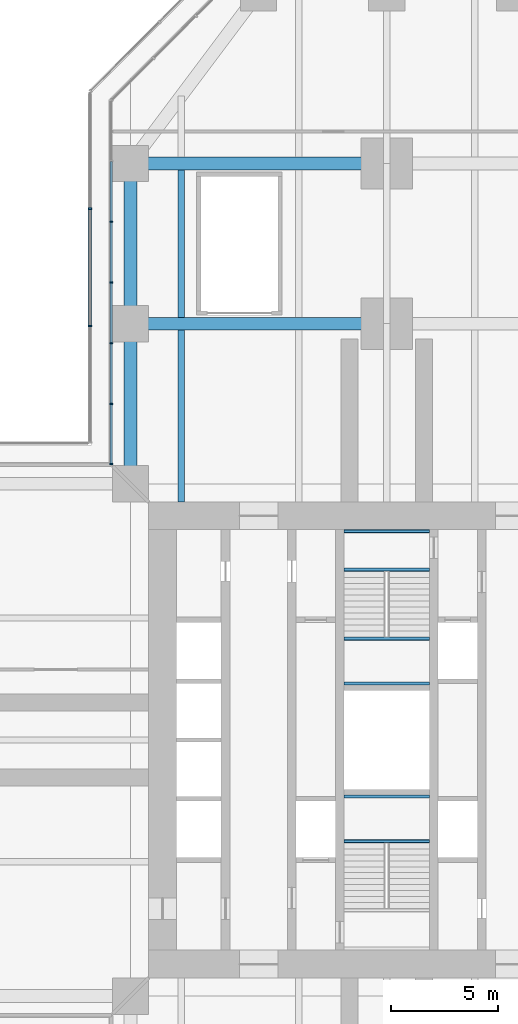
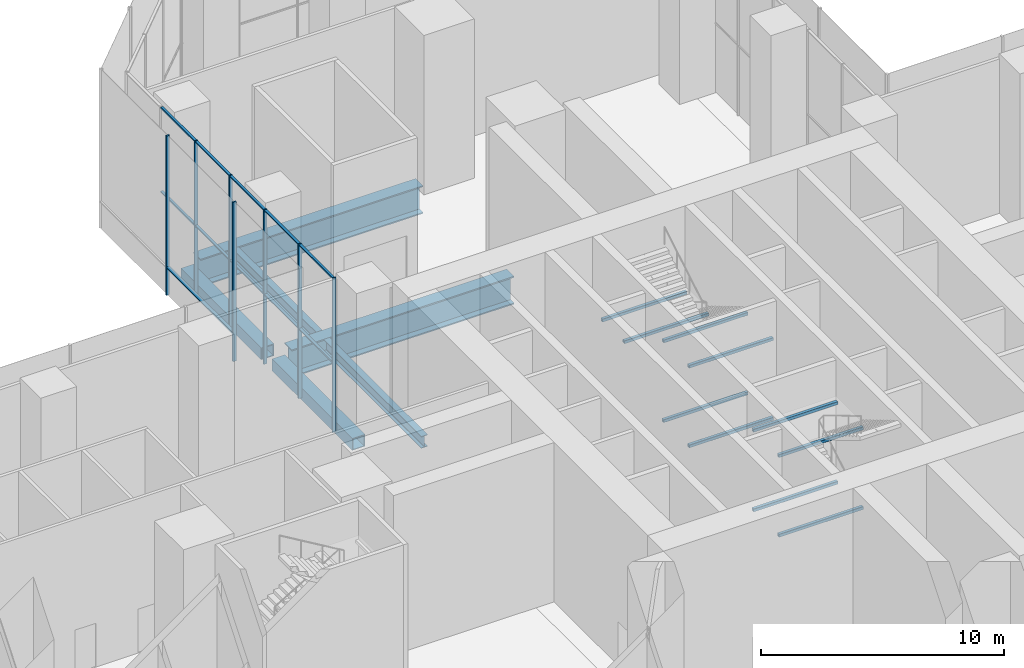
# One storey, part 8 of 25: 18 members, 16 beams, 2 elements without a shape of their own.
"""IFC4 building model written with IfcOpenShell, lengths in metres."""

from ifc_helpers import new_model, si_unit, direction, frame, origin, origin_2d, place, context, subcontext, project, spatial, rectangle, hollow_rectangle, i_section, extrude, material, material_profile, profile_set, type_object, element, aggregate, save


model = new_model("IFC4")

# Units and contexts
model_context = context("Model", 3, precision=1e-05, world=origin(), true_north=direction((0.0, 1.0)))
body_context = subcontext(model_context, "Body", "Model", "MODEL_VIEW")
ifc_project = project(units=[si_unit("LENGTHUNIT", "METRE"), si_unit("AREAUNIT", "SQUARE_METRE"), si_unit("VOLUMEUNIT", "CUBIC_METRE"), si_unit("PLANEANGLEUNIT", "RADIAN"), si_unit("MASSUNIT", "GRAM", prefix="KILO")], contexts=[model_context])

# Site, building, storey
site_placement = place(None, origin())
site = spatial("IfcSite", under=ifc_project, at=site_placement, CompositionType="ELEMENT")
building_placement = place(site_placement, origin())
building = spatial("IfcBuilding", under=site, at=building_placement, Name="Mizan Broadcast Tower", CompositionType="ELEMENT")
storey_placement = place(building_placement, frame((0.0, 0.0, 15.0)))
storey = spatial("IfcBuildingStorey", under=building, at=storey_placement, Name="L02", CompositionType="ELEMENT", Elevation=15.0)

# Beams
ifc_material_1 = material(Name="Steel S355", Category="steel")
ifc_material_profile_1 = material_profile(ifc_material_1, hollow_rectangle(XDim=0.60009765625, YDim=0.60009765625, WallThickness=0.0400390625, at=origin_2d()), Name="BOX 600x600x40")
ifc_profile_set_1 = profile_set([ifc_material_profile_1], Name="Steel S355")
beam_type_1 = type_object("IfcBeamType", Name="EDGE BEAM BOX 600x600x40", PredefinedType="SPANDREL", material=ifc_profile_set_1)
for number, where, z_axis, x_axis, name in (
    (1, (-12.0, 12.449951171875, -0.550048828125), (0.0, 1.0, 0.0), (-1.0, 0.0, 0.0), "Edge beam BOX 600x600x40 L02 north arm"),
    (2, (-12.0, 19.949951171875, -0.550048828125), (0.0, 1.0, 0.0), (-1.0, 0.0, 0.0), "Edge beam BOX 600x600x40 L02 north arm"),
):
    element("IfcBeam", number, at=place(storey_placement, frame(where, z_axis=z_axis, x_axis=x_axis)), inside=storey, type_object=beam_type_1, Name=name, PredefinedType="SPANDREL", context=body_context, shape_type="SweptSolid", body=[
        extrude(hollow_rectangle(XDim=0.60009765625, YDim=0.60009765625, WallThickness=0.0400390625, at=origin_2d()), origin(), (0.0, 0.0, 1.0), 6.60009765625),
    ])
ifc_material_2 = material(Name="Steel S460", Category="steel")
ifc_material_profile_2 = material_profile(ifc_material_2, i_section(OverallWidth=0.60009765625, OverallDepth=1.39990234375, WebThickness=0.02490234375, FlangeThickness=0.06005859375, at=origin_2d()), Name="WPG 1400x600")
ifc_profile_set_2 = profile_set([ifc_material_profile_2], Name="Steel S460")
beam_type_2 = type_object("IfcBeamType", Name="GIRDER WPG 1400x600", PredefinedType="BEAM", material=ifc_profile_set_2)
for number, where, z_axis, x_axis, name in (
    (3, (-0.719970703125, 19.5, -0.949951171875), (-1.0, 0.0, 0.0), (0.0, -1.0, 0.0), "Girder WPG 1400x600 L02 north arm"),
    (4, (-0.719970703125, 27.0, -0.949951171875), (-1.0, 0.0, 0.0), (0.0, -1.0, 0.0), "Girder WPG 1400x600 L02 north arm"),
):
    element("IfcBeam", number, at=place(storey_placement, frame(where, z_axis=z_axis, x_axis=x_axis)), inside=storey, type_object=beam_type_2, Name=name, PredefinedType="BEAM", context=body_context, shape_type="SweptSolid", body=[
        extrude(i_section(OverallWidth=0.60009765625, OverallDepth=1.39990234375, WebThickness=0.02490234375, FlangeThickness=0.06005859375, at=origin_2d()), origin(), (0.0, 0.0, 1.0), 10.56005859375),
    ])

# Curtain wall, members
ifc_material_3 = material(Name="Aluminium framed glazing", Category="aluminium")
curtain_wall_type_1 = type_object("IfcCurtainWallType", Name="PODIUM CURTAIN WALL", PredefinedType="USERDEFINED", material=ifc_material_3)
curtain_wall_1_placement = place(storey_placement, origin())
curtain_wall_1 = element("IfcCurtainWall", 5, at=curtain_wall_1_placement, inside=storey, type_object=curtain_wall_type_1, Name="Podium curtain wall L02 N side", ObjectType="PODIUM CURTAIN WALL", PredefinedType="USERDEFINED")
ifc_material_4 = material(Name="Aluminium, pale anodised", Category="aluminium")
ifc_material_profile_3 = material_profile(ifc_material_4, rectangle(XDim=0.159912109375, YDim=0.06005859375, at=origin_2d()), Name="MULLION 160x60")
ifc_profile_set_3 = profile_set([ifc_material_profile_3], Name="Aluminium, pale anodised")
member_type_1 = type_object("IfcMemberType", Name="INNER SKIN MULLION 60x160", PredefinedType="MULLION", material=ifc_profile_set_3)
member_1_placement = place(storey_placement, frame((-12.89990234375, 24.2724609375, 0.0), z_axis=(0.0, 0.0, 1.0), x_axis=(1.0, 0.0, 0.0)))
member_1 = element("IfcMember", 6, at=member_1_placement, type_object=member_type_1, Name="Podium curtain wall L02 N side mullion 3", PredefinedType="MULLION", context=body_context, shape_type="SweptSolid", body=[
    extrude(rectangle(XDim=0.159912109375, YDim=0.06005859375, at=origin_2d()), origin(), (0.0, 0.0, 1.0), 7.75),
])
member_2_placement = place(storey_placement, frame((-12.89990234375, 21.42919921875, 0.0), z_axis=(0.0, 0.0, 1.0), x_axis=(1.0, 0.0, 0.0)))
member_2 = element("IfcMember", 7, at=member_2_placement, type_object=member_type_1, Name="Podium curtain wall L02 N side mullion 4", PredefinedType="MULLION", context=body_context, shape_type="SweptSolid", body=[
    extrude(rectangle(XDim=0.159912109375, YDim=0.06005859375, at=origin_2d()), origin(), (0.0, 0.0, 1.0), 7.75),
])
member_3_placement = place(storey_placement, frame((-12.89990234375, 18.586181640625, 0.0), z_axis=(0.0, 0.0, 1.0), x_axis=(1.0, 0.0, 0.0)))
member_3 = element("IfcMember", 8, at=member_3_placement, type_object=member_type_1, Name="Podium curtain wall L02 N side mullion 5", PredefinedType="MULLION", context=body_context, shape_type="SweptSolid", body=[
    extrude(rectangle(XDim=0.159912109375, YDim=0.06005859375, at=origin_2d()), origin(), (0.0, 0.0, 1.0), 7.75),
])
member_4_placement = place(storey_placement, frame((-12.89990234375, 15.7431640625, 0.0), z_axis=(0.0, 0.0, 1.0), x_axis=(1.0, 0.0, 0.0)))
member_4 = element("IfcMember", 9, at=member_4_placement, type_object=member_type_1, Name="Podium curtain wall L02 N side mullion 6", PredefinedType="MULLION", context=body_context, shape_type="SweptSolid", body=[
    extrude(rectangle(XDim=0.159912109375, YDim=0.06005859375, at=origin_2d()), origin(), (0.0, 0.0, 1.0), 7.75),
])
member_5_placement = place(storey_placement, frame((-12.89990234375, 12.929931640625, 0.0), z_axis=(0.0, 0.0, 1.0), x_axis=(1.0, 0.0, 0.0)))
member_5 = element("IfcMember", 10, at=member_5_placement, type_object=member_type_1, Name="Podium curtain wall L02 N side mullion 7", PredefinedType="MULLION", context=body_context, shape_type="SweptSolid", body=[
    extrude(rectangle(XDim=0.159912109375, YDim=0.06005859375, at=origin_2d()), origin(), (0.0, 0.0, 1.0), 7.75),
])
ifc_material_5 = material(Name="Aluminium, pale anodised", Category="aluminium")
ifc_material_profile_4 = material_profile(ifc_material_5, rectangle(XDim=0.1201171875, YDim=0.06005859375, at=origin_2d()), Name="TRANSOM 120x60")
ifc_profile_set_4 = profile_set([ifc_material_profile_4], Name="Aluminium, pale anodised")
member_type_2 = type_object("IfcMemberType", Name="INNER SKIN TRANSOM 60x120", PredefinedType="USERDEFINED", material=ifc_profile_set_4)
member_6_placement = place(storey_placement, frame((-12.89990234375, 27.08544921875, 3.5), z_axis=(0.0, -1.0, 0.0), x_axis=(1.0, 0.0, 0.0)))
member_6 = element("IfcMember", 11, at=member_6_placement, type_object=member_type_2, Name="Podium curtain wall L02 N side transom 2.1", ObjectType="TRANSOM", PredefinedType="USERDEFINED", context=body_context, shape_type="SweptSolid", body=[
    extrude(rectangle(XDim=0.1201171875, YDim=0.06005859375, at=origin_2d()), origin(), (0.0, 0.0, 1.0), 2.782958984375),
])
member_7_placement = place(storey_placement, frame((-12.89990234375, 27.08544921875, 7.719970703125), z_axis=(0.0, -1.0, 0.0), x_axis=(1.0, 0.0, 0.0)))
member_7 = element("IfcMember", 12, at=member_7_placement, type_object=member_type_2, Name="Podium curtain wall L02 N side transom 2.2", ObjectType="TRANSOM", PredefinedType="USERDEFINED", context=body_context, shape_type="SweptSolid", body=[
    extrude(rectangle(XDim=0.1201171875, YDim=0.06005859375, at=origin_2d()), origin(), (0.0, 0.0, 1.0), 2.782958984375),
])
member_8_placement = place(storey_placement, frame((-12.89990234375, 24.242431640625, 3.5), z_axis=(0.0, -1.0, 0.0), x_axis=(1.0, 0.0, 0.0)))
member_8 = element("IfcMember", 13, at=member_8_placement, type_object=member_type_2, Name="Podium curtain wall L02 N side transom 3.1", ObjectType="TRANSOM", PredefinedType="USERDEFINED", context=body_context, shape_type="SweptSolid", body=[
    extrude(rectangle(XDim=0.1201171875, YDim=0.06005859375, at=origin_2d()), origin(), (0.0, 0.0, 1.0), 2.783203125),
])
member_9_placement = place(storey_placement, frame((-12.89990234375, 24.242431640625, 7.719970703125), z_axis=(0.0, -1.0, 0.0), x_axis=(1.0, 0.0, 0.0)))
member_9 = element("IfcMember", 14, at=member_9_placement, type_object=member_type_2, Name="Podium curtain wall L02 N side transom 3.2", ObjectType="TRANSOM", PredefinedType="USERDEFINED", context=body_context, shape_type="SweptSolid", body=[
    extrude(rectangle(XDim=0.1201171875, YDim=0.06005859375, at=origin_2d()), origin(), (0.0, 0.0, 1.0), 2.783203125),
])
member_10_placement = place(storey_placement, frame((-12.89990234375, 21.399169921875, 3.5), z_axis=(0.0, -1.0, 0.0), x_axis=(1.0, 0.0, 0.0)))
member_10 = element("IfcMember", 15, at=member_10_placement, type_object=member_type_2, Name="Podium curtain wall L02 N side transom 4.1", ObjectType="TRANSOM", PredefinedType="USERDEFINED", context=body_context, shape_type="SweptSolid", body=[
    extrude(rectangle(XDim=0.1201171875, YDim=0.06005859375, at=origin_2d()), origin(), (0.0, 0.0, 1.0), 2.782958984375),
])
member_11_placement = place(storey_placement, frame((-12.89990234375, 21.399169921875, 7.719970703125), z_axis=(0.0, -1.0, 0.0), x_axis=(1.0, 0.0, 0.0)))
member_11 = element("IfcMember", 16, at=member_11_placement, type_object=member_type_2, Name="Podium curtain wall L02 N side transom 4.2", ObjectType="TRANSOM", PredefinedType="USERDEFINED", context=body_context, shape_type="SweptSolid", body=[
    extrude(rectangle(XDim=0.1201171875, YDim=0.06005859375, at=origin_2d()), origin(), (0.0, 0.0, 1.0), 2.782958984375),
])
member_12_placement = place(storey_placement, frame((-12.89990234375, 18.55615234375, 3.5), z_axis=(0.0, -1.0, 0.0), x_axis=(1.0, 0.0, 0.0)))
member_12 = element("IfcMember", 17, at=member_12_placement, type_object=member_type_2, Name="Podium curtain wall L02 N side transom 5.1", ObjectType="TRANSOM", PredefinedType="USERDEFINED", context=body_context, shape_type="SweptSolid", body=[
    extrude(rectangle(XDim=0.1201171875, YDim=0.06005859375, at=origin_2d()), origin(), (0.0, 0.0, 1.0), 2.782958984375),
])
member_13_placement = place(storey_placement, frame((-12.89990234375, 18.55615234375, 7.719970703125), z_axis=(0.0, -1.0, 0.0), x_axis=(1.0, 0.0, 0.0)))
member_13 = element("IfcMember", 18, at=member_13_placement, type_object=member_type_2, Name="Podium curtain wall L02 N side transom 5.2", ObjectType="TRANSOM", PredefinedType="USERDEFINED", context=body_context, shape_type="SweptSolid", body=[
    extrude(rectangle(XDim=0.1201171875, YDim=0.06005859375, at=origin_2d()), origin(), (0.0, 0.0, 1.0), 2.782958984375),
])
member_14_placement = place(storey_placement, frame((-12.89990234375, 15.713134765625, 3.5), z_axis=(0.0, -1.0, 0.0), x_axis=(1.0, 0.0, 0.0)))
member_14 = element("IfcMember", 19, at=member_14_placement, type_object=member_type_2, Name="Podium curtain wall L02 N side transom 6.1", ObjectType="TRANSOM", PredefinedType="USERDEFINED", context=body_context, shape_type="SweptSolid", body=[
    extrude(rectangle(XDim=0.1201171875, YDim=0.06005859375, at=origin_2d()), origin(), (0.0, 0.0, 1.0), 2.753173828125),
])
member_15_placement = place(storey_placement, frame((-12.89990234375, 15.713134765625, 7.719970703125), z_axis=(0.0, -1.0, 0.0), x_axis=(1.0, 0.0, 0.0)))
member_15 = element("IfcMember", 20, at=member_15_placement, type_object=member_type_2, Name="Podium curtain wall L02 N side transom 6.2", ObjectType="TRANSOM", PredefinedType="USERDEFINED", context=body_context, shape_type="SweptSolid", body=[
    extrude(rectangle(XDim=0.1201171875, YDim=0.06005859375, at=origin_2d()), origin(), (0.0, 0.0, 1.0), 2.753173828125),
])
aggregate(curtain_wall_1, [member_1, member_2, member_3, member_4, member_5, member_6, member_7, member_8, member_9, member_10, member_11, member_12, member_13, member_14, member_15])

# Beams
ifc_material_6 = material(Name="Steel S355", Category="steel")
ifc_material_profile_5 = material_profile(ifc_material_6, hollow_rectangle(XDim=0.14990234375, YDim=0.14990234375, WallThickness=0.008056640625, InnerFilletRadius=0.008056640625, OuterFilletRadius=0.011962890625, at=origin_2d()), Name="SHS 150x150x8")
ifc_profile_set_5 = profile_set([ifc_material_profile_5], Name="Steel S355")
beam_type_3 = type_object("IfcBeamType", Name="LANDING TRIMMER SHS 150x150x8", PredefinedType="BEAM", material=ifc_profile_set_5)
for number, where, z_axis, x_axis, name in (
    (21, (-2.0, -4.7451171875, 1.72509765625), (1.0, 0.0, 0.0), (0.0, 1.0, 0.0), "Stair A landing trimmer L02"),
    (22, (-2.0, -2.64990234375, 1.72509765625), (1.0, 0.0, 0.0), (0.0, 1.0, 0.0), "Stair A landing trimmer L02"),
    (23, (-2.0, -4.7451171875, 5.72509765625), (1.0, 0.0, 0.0), (0.0, 1.0, 0.0), "Stair A landing trimmer L02"),
    (24, (-2.0, -2.64990234375, 5.72509765625), (1.0, 0.0, 0.0), (0.0, 1.0, 0.0), "Stair A landing trimmer L02"),
    (25, (2.0, 4.7451171875, 1.72509765625), (-1.0, 0.0, 0.0), (0.0, -1.0, 0.0), "Stair B landing trimmer L02"),
    (26, (2.0, 2.64990234375, 1.72509765625), (-1.0, 0.0, 0.0), (0.0, -1.0, 0.0), "Stair B landing trimmer L02"),
    (27, (2.0, 9.77490234375, 3.72509765625), (-1.0, 0.0, 0.0), (0.0, -1.0, 0.0), "Stair B landing trimmer L02"),
    (28, (2.0, 7.97509765625, 3.72509765625), (-1.0, 0.0, 0.0), (0.0, -1.0, 0.0), "Stair B landing trimmer L02"),
    (29, (2.0, 4.7451171875, 5.72509765625), (-1.0, 0.0, 0.0), (0.0, -1.0, 0.0), "Stair B landing trimmer L02"),
    (30, (2.0, 2.64990234375, 5.72509765625), (-1.0, 0.0, 0.0), (0.0, -1.0, 0.0), "Stair B landing trimmer L02"),
):
    element("IfcBeam", number, at=place(storey_placement, frame(where, z_axis=z_axis, x_axis=x_axis)), inside=storey, type_object=beam_type_3, Name=name, PredefinedType="BEAM", context=body_context, shape_type="SweptSolid", body=[
        extrude(hollow_rectangle(XDim=0.14990234375, YDim=0.14990234375, WallThickness=0.008056640625, InnerFilletRadius=0.008056640625, OuterFilletRadius=0.011962890625, at=origin_2d()), origin(), (0.0, 0.0, 1.0), 4.0),
    ])

# Curtain wall, members
ifc_material_7 = material(Name="Aluminium framed glazing", Category="aluminium")
curtain_wall_type_2 = type_object("IfcCurtainWallType", Name="OUTER SKIN", PredefinedType="USERDEFINED", material=ifc_material_7)
curtain_wall_2_placement = place(storey_placement, origin())
curtain_wall_2 = element("IfcCurtainWall", 31, at=curtain_wall_2_placement, inside=storey, type_object=curtain_wall_type_2, Name="Outer skin L02 N side", ObjectType="OUTER SKIN", PredefinedType="USERDEFINED")
ifc_material_8 = material(Name="Aluminium, pale anodised", Category="aluminium")
ifc_material_profile_6 = material_profile(ifc_material_8, rectangle(XDim=0.159912109375, YDim=0.080078125, at=origin_2d()), Name="MULLION 160x80")
ifc_profile_set_6 = profile_set([ifc_material_profile_6], Name="Aluminium, pale anodised")
member_type_3 = type_object("IfcMemberType", Name="OUTER SKIN MULLION 80x160", PredefinedType="MULLION", material=ifc_profile_set_6)
member_16_placement = place(storey_placement, frame((-13.89990234375, 24.8818359375, 0.0), z_axis=(0.0, 0.0, 1.0), x_axis=(1.0, 0.0, 0.0)))
member_16 = element("IfcMember", 32, at=member_16_placement, type_object=member_type_3, Name="Outer skin L02 N side mullion 2", PredefinedType="MULLION", context=body_context, shape_type="SweptSolid", body=[
    extrude(rectangle(XDim=0.159912109375, YDim=0.080078125, at=origin_2d()), origin(), (0.0, 0.0, 1.0), 8.0),
])
member_17_placement = place(storey_placement, frame((-13.89990234375, 19.390869140625, 0.0), z_axis=(0.0, 0.0, 1.0), x_axis=(1.0, 0.0, 0.0)))
member_17 = element("IfcMember", 33, at=member_17_placement, type_object=member_type_3, Name="Outer skin L02 N side mullion 3", PredefinedType="MULLION", context=body_context, shape_type="SweptSolid", body=[
    extrude(rectangle(XDim=0.159912109375, YDim=0.080078125, at=origin_2d()), origin(), (0.0, 0.0, 1.0), 8.0),
])
ifc_material_9 = material(Name="Aluminium, pale anodised", Category="aluminium")
ifc_material_profile_7 = material_profile(ifc_material_9, rectangle(XDim=0.159912109375, YDim=0.06005859375, at=origin_2d()), Name="TRANSOM 160x60")
ifc_profile_set_7 = profile_set([ifc_material_profile_7], Name="Aluminium, pale anodised")
member_type_4 = type_object("IfcMemberType", Name="OUTER SKIN TRANSOM 60x160", PredefinedType="USERDEFINED", material=ifc_profile_set_7)
member_18_placement = place(storey_placement, frame((-13.89990234375, 24.841796875, 1.39990234375), z_axis=(0.0, -1.0, 0.0), x_axis=(1.0, 0.0, 0.0)))
member_18 = element("IfcMember", 34, at=member_18_placement, type_object=member_type_4, Name="Outer skin L02 N side transom 2.1", ObjectType="TRANSOM", PredefinedType="USERDEFINED", context=body_context, shape_type="SweptSolid", body=[
    extrude(rectangle(XDim=0.159912109375, YDim=0.06005859375, at=origin_2d()), origin(), (0.0, 0.0, 1.0), 5.410888671875),
])
aggregate(curtain_wall_2, [member_16, member_17, member_18])

# Beams
ifc_material_10 = material(Name="Steel S355", Category="steel")
ifc_material_profile_8 = material_profile(ifc_material_10, i_section(OverallWidth=0.300048828125, OverallDepth=0.590087890625, WebThickness=0.012939453125, FlangeThickness=0.02490234375, FilletRadius=0.027099609375, at=origin_2d()), Name="HEA 600")
ifc_profile_set_8 = profile_set([ifc_material_profile_8], Name="Steel S355")
beam_type_4 = type_object("IfcBeamType", Name="SECONDARY BEAM HEA 600", PredefinedType="JOIST", material=ifc_profile_set_8)
beam_1_placement = place(storey_placement, frame((-9.625, 11.14990234375, -0.544921875), z_axis=(0.0, 1.0, 0.0), x_axis=(-1.0, 0.0, 0.0)))
element("IfcBeam", 35, at=beam_1_placement, inside=storey, type_object=beam_type_4, Name="Secondary beam HEA 600 L02 north arm", PredefinedType="JOIST", context=body_context, shape_type="SweptSolid", body=[
    extrude(i_section(OverallWidth=0.300048828125, OverallDepth=0.590087890625, WebThickness=0.012939453125, FlangeThickness=0.02490234375, FilletRadius=0.027099609375, at=origin_2d()), origin(), (0.0, 0.0, 1.0), 8.050048828125),
])
beam_2_placement = place(storey_placement, frame((-9.625, 19.800048828125, -0.544921875), z_axis=(0.0, 1.0, 0.0), x_axis=(-1.0, 0.0, 0.0)))
element("IfcBeam", 36, at=beam_2_placement, inside=storey, type_object=beam_type_4, Name="Secondary beam HEA 600 L02 north arm", PredefinedType="JOIST", context=body_context, shape_type="SweptSolid", body=[
    extrude(i_section(OverallWidth=0.300048828125, OverallDepth=0.590087890625, WebThickness=0.012939453125, FlangeThickness=0.02490234375, FilletRadius=0.027099609375, at=origin_2d()), origin(), (0.0, 0.0, 1.0), 6.89990234375),
])

save(model, "model.ifc")
